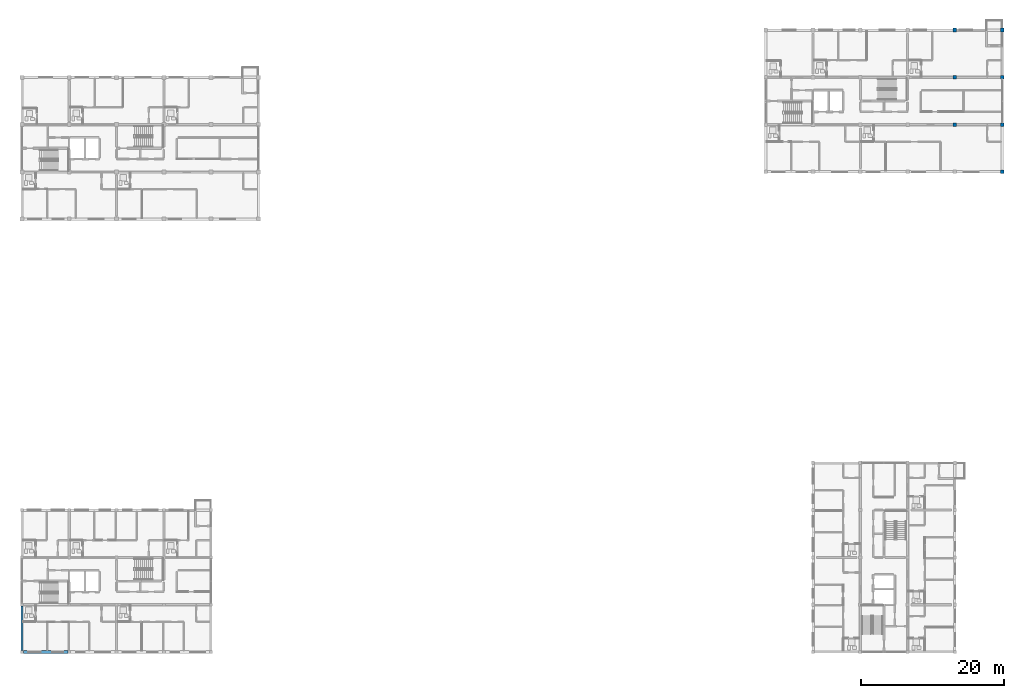
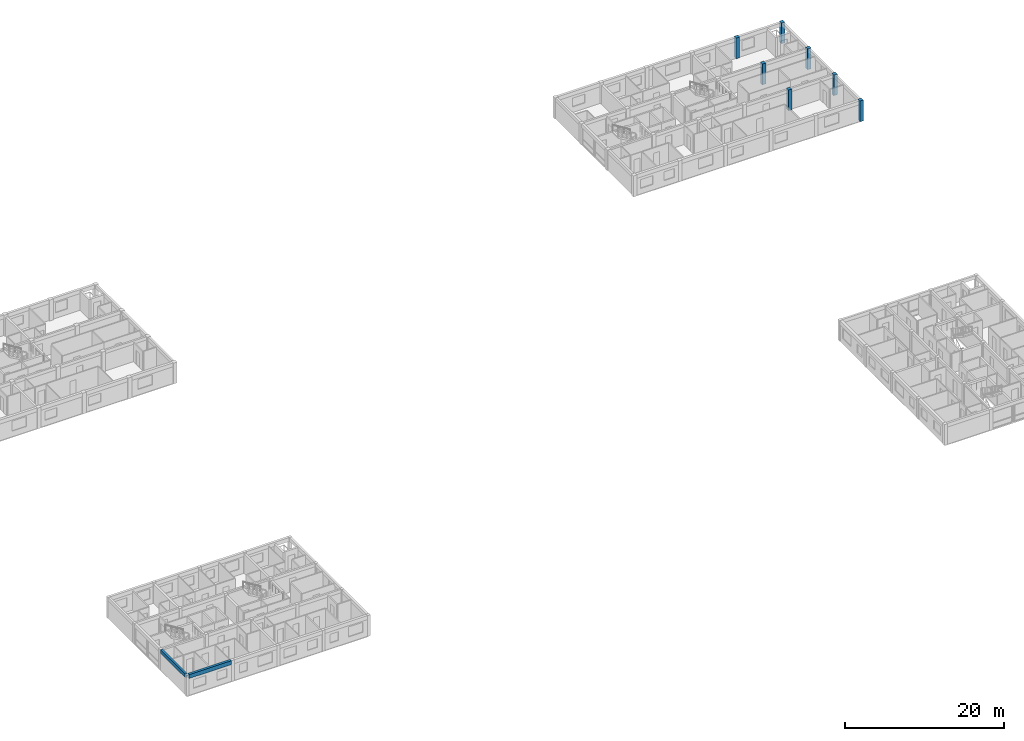
# One storey, part 3 of 45: 7 columns, 2 beams.
"""IFC4 building model written with IfcOpenShell, lengths in metres."""

from ifc_helpers import new_model, si_unit, direction, frame, origin, origin_2d, place, context, subcontext, project, spatial, rectangle, extrude, material, material_profile, profile_set, type_object, element, save


model = new_model("IFC4")

# Units and contexts
model_context = context("Model", 3, precision=1e-05, world=origin(), true_north=direction((0.0, 1.0)))
body_context = subcontext(model_context, "Body", "Model", "MODEL_VIEW")
ifc_project = project(units=[si_unit("LENGTHUNIT", "METRE"), si_unit("AREAUNIT", "SQUARE_METRE"), si_unit("VOLUMEUNIT", "CUBIC_METRE"), si_unit("PLANEANGLEUNIT", "RADIAN"), si_unit("MASSUNIT", "GRAM", prefix="KILO")], contexts=[model_context])

# Site, building, storey
site_placement = place(None, origin())
site = spatial("IfcSite", under=ifc_project, at=site_placement, CompositionType="ELEMENT")
building_placement = place(site_placement, origin())
building = spatial("IfcBuilding", under=site, at=building_placement, Name="Kernevlak Ridge Housing Community", CompositionType="ELEMENT")
storey_placement = place(building_placement, frame((0.0, 0.0, 14.800048828125)))
storey = spatial("IfcBuildingStorey", under=building, at=storey_placement, Name="L04", CompositionType="ELEMENT", Elevation=14.800048828125)

# Columns
ifc_material_1 = material(Name="Concrete C40/50", Category="concrete")
ifc_material_profile_1 = material_profile(ifc_material_1, rectangle(XDim=0.5, YDim=0.5, at=origin_2d()), Name="RC 500x500")
ifc_profile_set_1 = profile_set([ifc_material_profile_1], Name="Concrete C40/50")
column_type = type_object("IfcColumnType", Name="C-03", PredefinedType="COLUMN", material=ifc_profile_set_1)
for number, where, z_axis, x_axis, name in (
    (1, (145.800048828125, 89.199951171875, 0.0), (0.0, 0.0, 1.0), (1.0, 0.0, 0.0), "Column C-03 COL-B-L04-04-1"),
    (2, (145.800048828125, 95.800048828125, 0.0), (0.0, 0.0, 1.0), (1.0, 0.0, 0.0), "Column C-03 COL-B-L04-04-2"),
    (3, (145.800048828125, 102.39990234375, 0.0), (0.0, 0.0, 1.0), (1.0, 0.0, 0.0), "Column C-03 COL-B-L04-04-3"),
    (4, (152.39990234375, 82.60009765625, 0.0), (0.0, 0.0, 1.0), (1.0, 0.0, 0.0), "Column C-03 COL-B-L04-05-0"),
    (5, (152.39990234375, 89.199951171875, 0.0), (0.0, 0.0, 1.0), (1.0, 0.0, 0.0), "Column C-03 COL-B-L04-05-1"),
    (6, (152.39990234375, 95.800048828125, 0.0), (0.0, 0.0, 1.0), (1.0, 0.0, 0.0), "Column C-03 COL-B-L04-05-2"),
    (7, (152.39990234375, 102.39990234375, 0.0), (0.0, 0.0, 1.0), (1.0, 0.0, 0.0), "Column C-03 COL-B-L04-05-3"),
):
    element("IfcColumn", number, at=place(storey_placement, frame(where, z_axis=z_axis, x_axis=x_axis)), inside=storey, type_object=column_type, Name=name, PredefinedType="COLUMN", context=body_context, shape_type="SweptSolid", body=[
        extrude(rectangle(XDim=0.5, YDim=0.5, at=origin_2d()), origin(), (0.0, 0.0, 1.0), 3.199951171875),
    ])

# Beams
ifc_material_2 = material(Name="Concrete C35/45", Category="concrete")
ifc_material_profile_2 = material_profile(ifc_material_2, rectangle(XDim=0.300048828125, YDim=0.550048828125, at=origin_2d()), Name="RC 300x550")
ifc_profile_set_2 = profile_set([ifc_material_profile_2], Name="Concrete C35/45")
beam_type_1 = type_object("IfcBeamType", Name="SP-01", PredefinedType="SPANDREL", material=ifc_profile_set_2)
beam_1_placement = place(storey_placement, frame((15.60009765625, 15.800048828125, 2.925048828125), z_axis=(0.0, 1.0, 0.0), x_axis=(-1.0, 0.0, 0.0)))
element("IfcBeam", 8, at=beam_1_placement, inside=storey, type_object=beam_type_1, Name="Beam SP-01 L04 1426", PredefinedType="SPANDREL", context=body_context, shape_type="SweptSolid", body=[
    extrude(rectangle(XDim=0.300048828125, YDim=0.550048828125, at=origin_2d()), origin(), (0.0, 0.0, 1.0), 6.199951171875),
])
ifc_material_profile_3 = material_profile(ifc_material_2, rectangle(XDim=0.35009765625, YDim=0.60009765625, at=origin_2d()), Name="RC 350x600")
ifc_profile_set_3 = profile_set([ifc_material_profile_3], Name="Concrete C35/45")
beam_type_2 = type_object("IfcBeamType", Name="SP-03", PredefinedType="SPANDREL", material=ifc_profile_set_3)
beam_2_placement = place(storey_placement, frame((15.800048828125, 15.60009765625, 2.89990234375), z_axis=(1.0, 0.0, 0.0), x_axis=(0.0, 1.0, 0.0)))
element("IfcBeam", 9, at=beam_2_placement, inside=storey, type_object=beam_type_2, Name="Beam SP-03 L04 1410", PredefinedType="SPANDREL", context=body_context, shape_type="SweptSolid", body=[
    extrude(rectangle(XDim=0.35009765625, YDim=0.60009765625, at=origin_2d()), origin(), (0.0, 0.0, 1.0), 6.199951171875),
])

save(model, "model.ifc")
